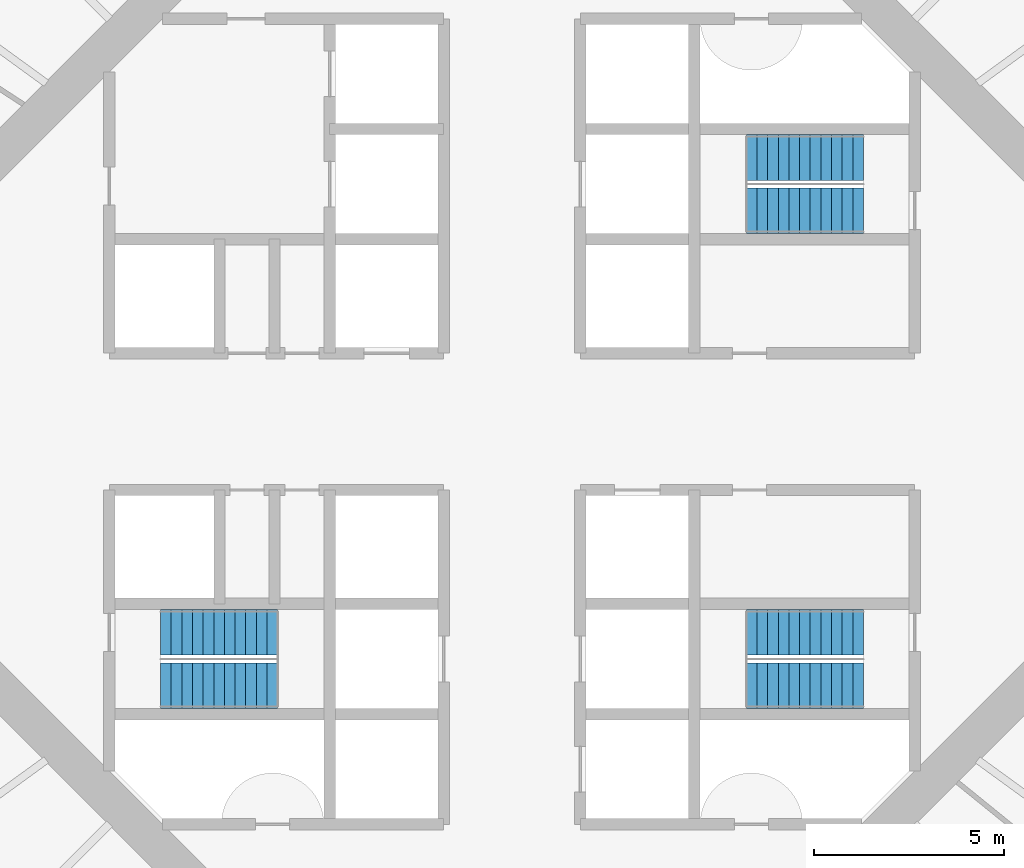
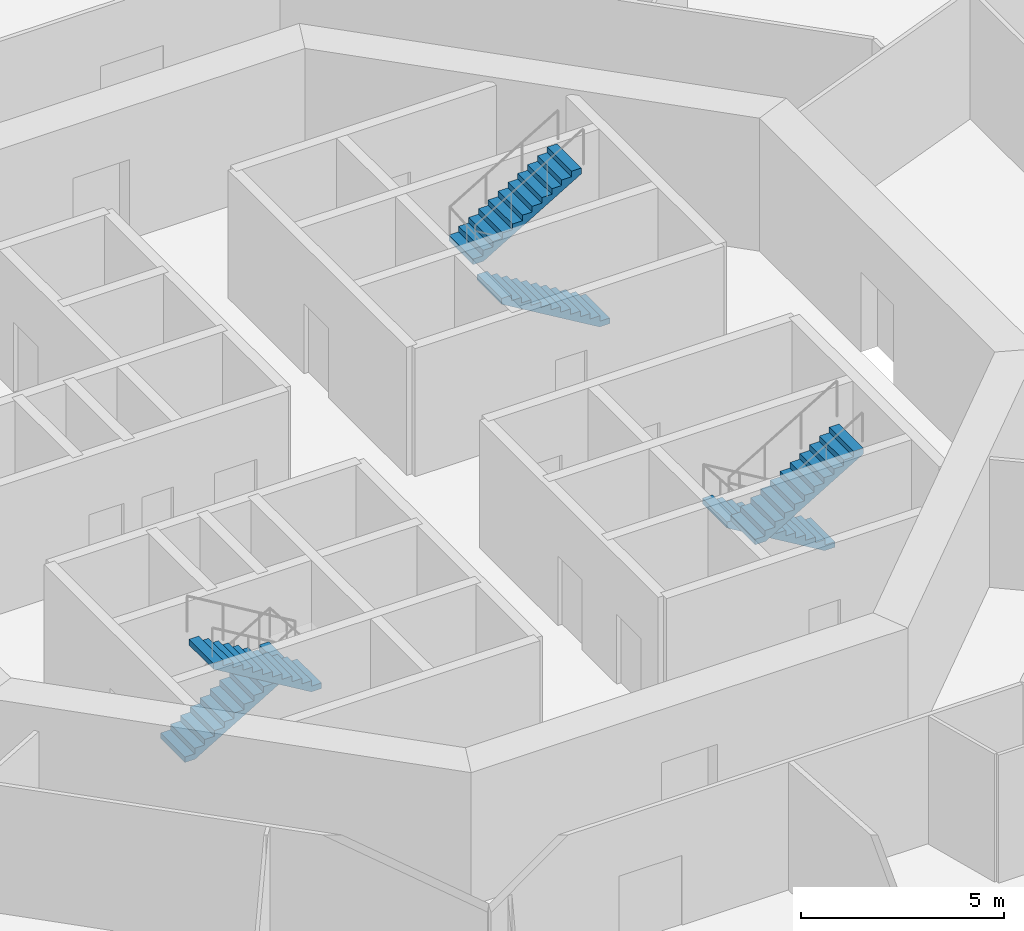
# One storey, part 6 of 13: 6 stair flights, 3 elements without a shape of their own.
"""IFC4 building model written with IfcOpenShell, lengths in metres."""

import ifcopenshell
import ifcopenshell.guid

model = None  # the IFC model being written
_history = None  # IfcOwnerHistory: only IFC2X3 demands one
_inside = {}  # id of a spatial element -> (the spatial element, [elements in it])
_under = {}  # id of a project, library or spatial element -> (it, [spatial elements below it])
_declared = {}  # id of a project -> (the project, [libraries it declares])
_typed = {}  # id of a type object -> (the type object, [elements of that type])
_made_of = {}  # id of a material, layer set ... -> (it, [elements and type objects made of it])


def new_model(schema):
    """Start an empty IFC model of exactly this schema.

    Asked for "IFC4X3", IfcOpenShell would pick the latest addendum, in which some entities
    have other attributes; the version numbers below select the first issue.
    IFC2X3 requires an IfcOwnerHistory on every rooted entity: one is made here for all.
    """
    global model, _history
    if schema == "IFC4X3":
        model = ifcopenshell.file(schema_version=(4, 3, 0, 0))
    else:
        model = ifcopenshell.file(schema=schema)
    _inside.clear()
    _under.clear()
    _declared.clear()
    _typed.clear()
    _made_of.clear()
    _history = None
    if model.schema == "IFC2X3":
        org = make("IfcOrganization", Name="unknown")
        user = make(
            "IfcPersonAndOrganization",
            ThePerson=make("IfcPerson", FamilyName="unknown"),
            TheOrganization=org,
        )
        app = make(
            "IfcApplication",
            ApplicationDeveloper=org,
            Version="unknown",
            ApplicationFullName="unknown",
            ApplicationIdentifier="unknown",
        )
        _history = make(
            "IfcOwnerHistory",
            OwningUser=user,
            OwningApplication=app,
            ChangeAction="ADDED",
            CreationDate=0,
        )
    return model


def make(cls, **values):
    """One entity of the class cls with the attributes given. An attribute that is None is left unset."""
    return model.create_entity(
        cls, **{name: value for name, value in values.items() if value is not None}
    )


def rooted(cls, **values):
    """An entity with a GlobalId (a new one), such as an element, a storey or a relation."""
    return make(cls, GlobalId=ifcopenshell.guid.new(), OwnerHistory=_history, **values)


def si_unit(unit_type, name, prefix=None):
    """IfcSIUnit, for example si_unit("LENGTHUNIT", "METRE", prefix="MILLI")."""
    return make("IfcSIUnit", UnitType=unit_type, Prefix=prefix, Name=name)


def assignment(units):
    """IfcUnitAssignment: the units of a project."""
    return None if units is None else make("IfcUnitAssignment", Units=units)


def point(xyz):
    """IfcCartesianPoint."""
    return None if xyz is None else make("IfcCartesianPoint", Coordinates=xyz)


def direction(xyz):
    """IfcDirection."""
    return None if xyz is None else make("IfcDirection", DirectionRatios=xyz)


def frame(location, z_axis=None, x_axis=None):
    """IfcAxis2Placement3D, a coordinate frame: its origin and axes. An axis left out is left unset."""
    return make(
        "IfcAxis2Placement3D",
        Location=point(location),
        Axis=direction(z_axis),
        RefDirection=direction(x_axis),
    )


def origin():
    """The frame at (0, 0, 0) with its axes left unset."""
    return frame((0.0, 0.0, 0.0))


def place(relative_to, where):
    """IfcLocalPlacement: puts the frame where relative to a parent placement (None: the world)."""
    return make(
        "IfcLocalPlacement", PlacementRelTo=relative_to, RelativePlacement=where
    )


def context(
    kind, dimensions, precision=None, world=None, true_north=None, identifier=None
):
    """IfcGeometricRepresentationContext, for example the 3D "Model" context."""
    return make(
        "IfcGeometricRepresentationContext",
        ContextIdentifier=identifier,
        ContextType=kind,
        CoordinateSpaceDimension=dimensions,
        Precision=precision,
        WorldCoordinateSystem=world,
        TrueNorth=true_north,
    )


def subcontext(parent, identifier, kind, view, scale=None):
    """IfcGeometricRepresentationSubContext, for example "Body" below "Model"."""
    return make(
        "IfcGeometricRepresentationSubContext",
        ContextIdentifier=identifier,
        ContextType=kind,
        ParentContext=parent,
        TargetScale=scale,
        TargetView=view,
    )


def project(units=None, contexts=None):
    """IfcProject with its units and contexts."""
    return rooted(
        "IfcProject",
        Name="project",
        RepresentationContexts=contexts,
        UnitsInContext=assignment(units),
    )


def spatial(cls, under=None, at=None, **own):
    """A site, building, storey or space (cls), placed at a placement, below another one or the project."""
    s = rooted(cls, ObjectPlacement=at, **own)
    if under is not None:
        _under.setdefault(under.id(), (under, []))[1].append(s)
    return s


def polyline(points):
    """IfcPolyline through the points."""
    return make("IfcPolyline", Points=[point(p) for p in points])


def outline(outer, holes=None, kind="AREA"):
    """IfcArbitraryClosedProfileDef: a profile drawn as a closed curve; with holes, ...WithVoids."""
    if holes is None:
        return make("IfcArbitraryClosedProfileDef", ProfileType=kind, OuterCurve=outer)
    return make(
        "IfcArbitraryProfileDefWithVoids",
        ProfileType=kind,
        OuterCurve=outer,
        InnerCurves=holes,
    )


def extrude(swept, where, along, depth):
    """IfcExtrudedAreaSolid: the profile swept, set in the frame where, extruded along a direction by depth."""
    return make(
        "IfcExtrudedAreaSolid",
        SweptArea=swept,
        Position=where,
        ExtrudedDirection=direction(along),
        Depth=depth,
    )


def shape(context_of_items, identifier, shape_type, items):
    """IfcShapeRepresentation: the items that make up one representation, for example the "Body"."""
    return make(
        "IfcShapeRepresentation",
        ContextOfItems=context_of_items,
        RepresentationIdentifier=identifier,
        RepresentationType=shape_type,
        Items=items,
    )


def material(Name=None, Category=None):
    """IfcMaterial."""
    return make("IfcMaterial", Name=Name, Category=Category)


def made_of(thing, what):
    """Note that an element or type object is made of a material, layer set ...; save() writes the relation."""
    if what is not None:
        _made_of.setdefault(what.id(), (what, []))[1].append(thing)
    return thing


def type_object(cls, material=None, **own):
    """A type object (cls), such as IfcWallType, which elements share."""
    return made_of(rooted(cls, **own), material)


def element(
    cls,
    number,
    at=None,
    inside=None,
    cuts=None,
    type_object=None,
    material=None,
    context=None,
    identifier="Body",
    shape_type=None,
    held_by="IfcProductDefinitionShape",
    body=None,
    shapes=None,
    **own,
):
    """One element of the class cls, such as IfcWall. Its Tag is "e" and its number.

    at: its placement. inside: the storey or other place that contains it. cuts: it is an
    opening in that element (IfcRelVoidsElement). A single representation is given by context,
    identifier, shape_type and body (its items); several are given by shapes. held_by: the class
    of the entity that holds the representations. save() writes the other relations.
    """
    e = rooted(cls, Tag="e%d" % number, ObjectPlacement=at, **own)
    if body is not None:
        shapes = [shape(context, identifier, shape_type, body)]
    if shapes is not None:
        e.Representation = make(held_by, Representations=shapes)
    if inside is not None:
        _inside.setdefault(inside.id(), (inside, []))[1].append(e)
    if cuts is not None:
        rooted(
            "IfcRelVoidsElement", RelatingBuildingElement=cuts, RelatedOpeningElement=e
        )
    if type_object is not None:
        _typed.setdefault(type_object.id(), (type_object, []))[1].append(e)
    return made_of(e, material)


def aggregate(whole, parts):
    """IfcRelAggregates: a whole, such as a stair, and the parts it consists of."""
    return rooted("IfcRelAggregates", RelatingObject=whole, RelatedObjects=parts)


def save(model, path):
    """Write the relations noted so far, then the file.

    IfcRelAggregates (storeys below a building ...), IfcRelContainedInSpatialStructure (elements
    in a storey), IfcRelDefinesByType, IfcRelAssociatesMaterial and IfcRelDeclares: one each for
    every whole, place, type object, material and project.
    """
    for whole, parts in _under.values():
        aggregate(whole, parts)
    for where, things in _inside.values():
        rooted(
            "IfcRelContainedInSpatialStructure",
            RelatedElements=things,
            RelatingStructure=where,
        )
    for kind, things in _typed.values():
        rooted("IfcRelDefinesByType", RelatedObjects=things, RelatingType=kind)
    for what, things in _made_of.values():
        rooted("IfcRelAssociatesMaterial", RelatedObjects=things, RelatingMaterial=what)
    for by, libraries in _declared.values():
        rooted("IfcRelDeclares", RelatingContext=by, RelatedDefinitions=libraries)
    model.write(path)


model = new_model("IFC4")

# Units and contexts
model_context = context("Model", 3, precision=1e-05, world=origin(), true_north=direction((0.0, 1.0)))
body_context = subcontext(model_context, "Body", "Model", "MODEL_VIEW")
ifc_project = project(units=[si_unit("LENGTHUNIT", "METRE"), si_unit("AREAUNIT", "SQUARE_METRE"), si_unit("VOLUMEUNIT", "CUBIC_METRE"), si_unit("PLANEANGLEUNIT", "RADIAN"), si_unit("MASSUNIT", "GRAM", prefix="KILO")], contexts=[model_context])

# Site, building, storey
site_placement = place(None, origin())
site = spatial("IfcSite", under=ifc_project, at=site_placement, CompositionType="ELEMENT")
building_placement = place(site_placement, origin())
building = spatial("IfcBuilding", under=site, at=building_placement, Name="Entoto Ring Tower", CompositionType="ELEMENT")
storey_placement = place(building_placement, frame((0.0, 0.0, 184.0)))
storey = spatial("IfcBuildingStorey", under=building, at=storey_placement, Name="L42", CompositionType="ELEMENT", Elevation=184.0)

# Stair, stair flights
ifc_material_1 = material(Name="Concrete C40/50", Category="concrete")
stair_type = type_object("IfcStairType", Name="Exit stair 1200 mm dog-leg reinforced concrete", PredefinedType="HALF_TURN_STAIR", material=ifc_material_1)
stair_1_placement = place(storey_placement, origin())
stair_1 = element("IfcStair", 1, at=stair_1_placement, inside=storey, type_object=stair_type, Name="Exit stair 1", PredefinedType="HALF_TURN_STAIR")
ifc_material_2 = material(Name="Concrete C40/50", Category="concrete")
stair_flight_type = type_object("IfcStairFlightType", Name="Stair flight 1200 mm reinforced concrete", PredefinedType="STRAIGHT", material=ifc_material_2)
stair_flight_1_placement = place(storey_placement, frame((99.25, 85.550048828125, 0.0), z_axis=(0.0, 0.0, 1.0), x_axis=(-1.0, 0.0, 0.0)))
stair_flight_1 = element("IfcStairFlight", 2, at=stair_flight_1_placement, type_object=stair_flight_type, Name="ST1 flight 1", NumberOfRisers=12, NumberOfTreads=11, PredefinedType="STRAIGHT", RiserHeight=0.166666667, TreadLength=0.28, context=body_context, shape_type="SweptSolid", body=[
    extrude(outline(polyline([(0.0, 0.0), (0.0, 0.166748046875), (0.280029296875, 0.166748046875), (0.280029296875, 0.333251953125), (0.56005859375, 0.333251953125), (0.56005859375, 0.5), (0.840087890625, 0.5), (0.840087890625, 0.666748046875), (1.1201171875, 0.666748046875), (1.1201171875, 0.833251953125), (1.39990234375, 0.833251953125), (1.39990234375, 1.0), (1.679931640625, 1.0), (1.679931640625, 1.166748046875), (1.9599609375, 1.166748046875), (1.9599609375, 1.333251953125), (2.239990234375, 1.333251953125), (2.239990234375, 1.5), (2.52001953125, 1.5), (2.52001953125, 1.666748046875), (2.800048828125, 1.666748046875), (2.800048828125, 1.833251953125), (3.080078125, 1.833251953125), (3.080078125, 2.0), (3.080078125, 1.658935546875), (0.29296875, 0.0), (0.0, 0.0)])), frame((0.0, 0.60009765625, 0.0), z_axis=(0.0, -1.0, 0.0), x_axis=(1.0, 0.0, 0.0)), (0.0, 0.0, 1.0), 1.199951171875),
])
stair_flight_2_placement = place(storey_placement, frame((96.169921875, 86.949951171875, 2.0), z_axis=(0.0, 0.0, 1.0), x_axis=(1.0, 0.0, 0.0)))
stair_flight_2 = element("IfcStairFlight", 3, at=stair_flight_2_placement, type_object=stair_flight_type, Name="ST1 flight 2", NumberOfRisers=12, NumberOfTreads=11, PredefinedType="STRAIGHT", RiserHeight=0.166666667, TreadLength=0.28, context=body_context, shape_type="SweptSolid", body=[
    extrude(outline(polyline([(0.0, 0.0), (0.0, 0.166748046875), (0.280029296875, 0.166748046875), (0.280029296875, 0.333251953125), (0.56005859375, 0.333251953125), (0.56005859375, 0.5), (0.840087890625, 0.5), (0.840087890625, 0.666748046875), (1.1201171875, 0.666748046875), (1.1201171875, 0.833251953125), (1.39990234375, 0.833251953125), (1.39990234375, 1.0), (1.679931640625, 1.0), (1.679931640625, 1.166748046875), (1.9599609375, 1.166748046875), (1.9599609375, 1.333251953125), (2.239990234375, 1.333251953125), (2.239990234375, 1.5), (2.52001953125, 1.5), (2.52001953125, 1.666748046875), (2.800048828125, 1.666748046875), (2.800048828125, 1.833251953125), (3.080078125, 1.833251953125), (3.080078125, 2.0), (3.080078125, 1.658935546875), (0.29296875, 0.0), (0.0, 0.0)])), frame((0.0, 0.60009765625, 0.0), z_axis=(0.0, -1.0, 0.0), x_axis=(1.0, 0.0, 0.0)), (0.0, 0.0, 1.0), 1.199951171875),
])
aggregate(stair_1, [stair_flight_1, stair_flight_2])

stair_2_placement = place(storey_placement, origin())
stair_2 = element("IfcStair", 4, at=stair_2_placement, inside=storey, type_object=stair_type, Name="Exit stair 2", PredefinedType="HALF_TURN_STAIR")
stair_flight_3_placement = place(storey_placement, frame((80.75, 74.449951171875, 0.0), z_axis=(0.0, 0.0, 1.0), x_axis=(1.0, 0.0, 0.0)))
stair_flight_3 = element("IfcStairFlight", 5, at=stair_flight_3_placement, type_object=stair_flight_type, Name="ST2 flight 1", NumberOfRisers=12, NumberOfTreads=11, PredefinedType="STRAIGHT", RiserHeight=0.166666667, TreadLength=0.28, context=body_context, shape_type="SweptSolid", body=[
    extrude(outline(polyline([(0.0, 0.0), (0.0, 0.166748046875), (0.280029296875, 0.166748046875), (0.280029296875, 0.333251953125), (0.56005859375, 0.333251953125), (0.56005859375, 0.5), (0.840087890625, 0.5), (0.840087890625, 0.666748046875), (1.1201171875, 0.666748046875), (1.1201171875, 0.833251953125), (1.39990234375, 0.833251953125), (1.39990234375, 1.0), (1.679931640625, 1.0), (1.679931640625, 1.166748046875), (1.9599609375, 1.166748046875), (1.9599609375, 1.333251953125), (2.239990234375, 1.333251953125), (2.239990234375, 1.5), (2.52001953125, 1.5), (2.52001953125, 1.666748046875), (2.800048828125, 1.666748046875), (2.800048828125, 1.833251953125), (3.080078125, 1.833251953125), (3.080078125, 2.0), (3.080078125, 1.658935546875), (0.29296875, 0.0), (0.0, 0.0)])), frame((0.0, 0.60009765625, 0.0), z_axis=(0.0, -1.0, 0.0), x_axis=(1.0, 0.0, 0.0)), (0.0, 0.0, 1.0), 1.199951171875),
])
stair_flight_4_placement = place(storey_placement, frame((83.830078125, 73.050048828125, 2.0), z_axis=(0.0, 0.0, 1.0), x_axis=(-1.0, 0.0, 0.0)))
stair_flight_4 = element("IfcStairFlight", 6, at=stair_flight_4_placement, type_object=stair_flight_type, Name="ST2 flight 2", NumberOfRisers=12, NumberOfTreads=11, PredefinedType="STRAIGHT", RiserHeight=0.166666667, TreadLength=0.28, context=body_context, shape_type="SweptSolid", body=[
    extrude(outline(polyline([(0.0, 0.0), (0.0, 0.166748046875), (0.280029296875, 0.166748046875), (0.280029296875, 0.333251953125), (0.56005859375, 0.333251953125), (0.56005859375, 0.5), (0.840087890625, 0.5), (0.840087890625, 0.666748046875), (1.1201171875, 0.666748046875), (1.1201171875, 0.833251953125), (1.39990234375, 0.833251953125), (1.39990234375, 1.0), (1.679931640625, 1.0), (1.679931640625, 1.166748046875), (1.9599609375, 1.166748046875), (1.9599609375, 1.333251953125), (2.239990234375, 1.333251953125), (2.239990234375, 1.5), (2.52001953125, 1.5), (2.52001953125, 1.666748046875), (2.800048828125, 1.666748046875), (2.800048828125, 1.833251953125), (3.080078125, 1.833251953125), (3.080078125, 2.0), (3.080078125, 1.658935546875), (0.29296875, 0.0), (0.0, 0.0)])), frame((0.0, 0.60009765625, 0.0), z_axis=(0.0, -1.0, 0.0), x_axis=(1.0, 0.0, 0.0)), (0.0, 0.0, 1.0), 1.199951171875),
])
aggregate(stair_2, [stair_flight_3, stair_flight_4])

stair_3_placement = place(storey_placement, origin())
stair_3 = element("IfcStair", 7, at=stair_3_placement, inside=storey, type_object=stair_type, Name="Exit stair 3", PredefinedType="HALF_TURN_STAIR")
stair_flight_5_placement = place(storey_placement, frame((99.25, 74.449951171875, 0.0), z_axis=(0.0, 0.0, 1.0), x_axis=(-1.0, 0.0, 0.0)))
stair_flight_5 = element("IfcStairFlight", 8, at=stair_flight_5_placement, type_object=stair_flight_type, Name="ST3 flight 1", NumberOfRisers=12, NumberOfTreads=11, PredefinedType="STRAIGHT", RiserHeight=0.166666667, TreadLength=0.28, context=body_context, shape_type="SweptSolid", body=[
    extrude(outline(polyline([(0.0, 0.0), (0.0, 0.166748046875), (0.280029296875, 0.166748046875), (0.280029296875, 0.333251953125), (0.56005859375, 0.333251953125), (0.56005859375, 0.5), (0.840087890625, 0.5), (0.840087890625, 0.666748046875), (1.1201171875, 0.666748046875), (1.1201171875, 0.833251953125), (1.39990234375, 0.833251953125), (1.39990234375, 1.0), (1.679931640625, 1.0), (1.679931640625, 1.166748046875), (1.9599609375, 1.166748046875), (1.9599609375, 1.333251953125), (2.239990234375, 1.333251953125), (2.239990234375, 1.5), (2.52001953125, 1.5), (2.52001953125, 1.666748046875), (2.800048828125, 1.666748046875), (2.800048828125, 1.833251953125), (3.080078125, 1.833251953125), (3.080078125, 2.0), (3.080078125, 1.658935546875), (0.29296875, 0.0), (0.0, 0.0)])), frame((0.0, 0.60009765625, 0.0), z_axis=(0.0, -1.0, 0.0), x_axis=(1.0, 0.0, 0.0)), (0.0, 0.0, 1.0), 1.199951171875),
])
stair_flight_6_placement = place(storey_placement, frame((96.169921875, 73.050048828125, 2.0), z_axis=(0.0, 0.0, 1.0), x_axis=(1.0, 0.0, 0.0)))
stair_flight_6 = element("IfcStairFlight", 9, at=stair_flight_6_placement, type_object=stair_flight_type, Name="ST3 flight 2", NumberOfRisers=12, NumberOfTreads=11, PredefinedType="STRAIGHT", RiserHeight=0.166666667, TreadLength=0.28, context=body_context, shape_type="SweptSolid", body=[
    extrude(outline(polyline([(0.0, 0.0), (0.0, 0.166748046875), (0.280029296875, 0.166748046875), (0.280029296875, 0.333251953125), (0.56005859375, 0.333251953125), (0.56005859375, 0.5), (0.840087890625, 0.5), (0.840087890625, 0.666748046875), (1.1201171875, 0.666748046875), (1.1201171875, 0.833251953125), (1.39990234375, 0.833251953125), (1.39990234375, 1.0), (1.679931640625, 1.0), (1.679931640625, 1.166748046875), (1.9599609375, 1.166748046875), (1.9599609375, 1.333251953125), (2.239990234375, 1.333251953125), (2.239990234375, 1.5), (2.52001953125, 1.5), (2.52001953125, 1.666748046875), (2.800048828125, 1.666748046875), (2.800048828125, 1.833251953125), (3.080078125, 1.833251953125), (3.080078125, 2.0), (3.080078125, 1.658935546875), (0.29296875, 0.0), (0.0, 0.0)])), frame((0.0, 0.60009765625, 0.0), z_axis=(0.0, -1.0, 0.0), x_axis=(1.0, 0.0, 0.0)), (0.0, 0.0, 1.0), 1.199951171875),
])
aggregate(stair_3, [stair_flight_5, stair_flight_6])

save(model, "model.ifc")
